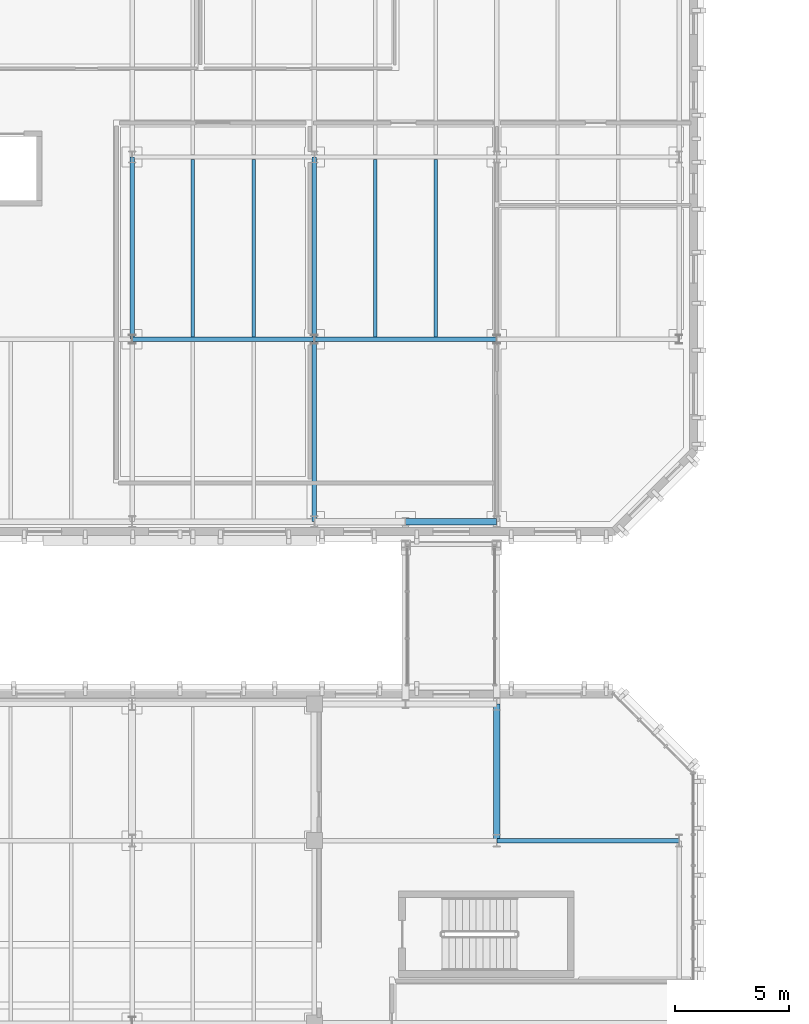
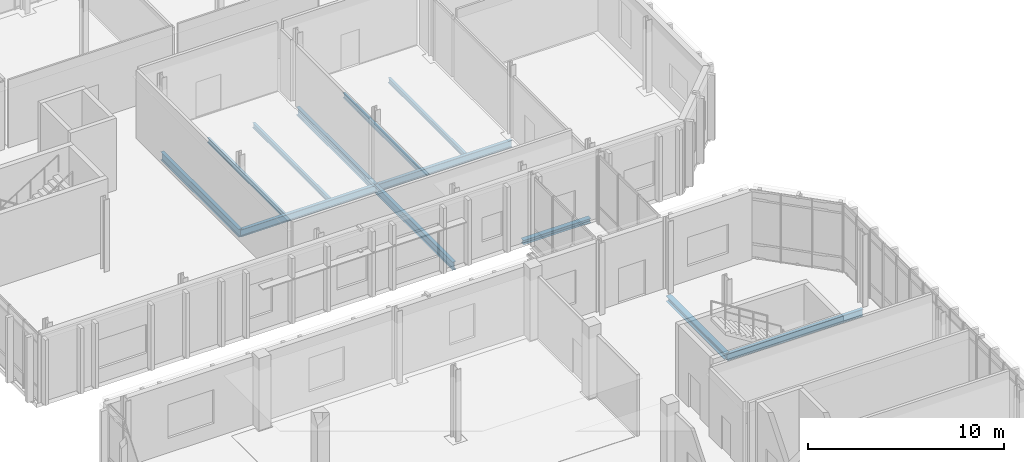
# One storey, part 36 of 100: 12 beams.
"""IFC4 building model written with IfcOpenShell, lengths in metres."""

from ifc_helpers import new_model, si_unit, direction, frame, origin, origin_2d, place, context, subcontext, project, spatial, i_section, extrude, material, material_profile, profile_set, type_object, element, save


model = new_model("IFC4")

# Units and contexts
model_context = context("Model", 3, precision=1e-05, world=origin(), true_north=direction((0.0, 1.0)))
body_context = subcontext(model_context, "Body", "Model", "MODEL_VIEW")
ifc_project = project(units=[si_unit("LENGTHUNIT", "METRE"), si_unit("AREAUNIT", "SQUARE_METRE"), si_unit("VOLUMEUNIT", "CUBIC_METRE"), si_unit("PLANEANGLEUNIT", "RADIAN"), si_unit("MASSUNIT", "GRAM", prefix="KILO")], contexts=[model_context])

# Site, building, storey
site_placement = place(None, origin())
site = spatial("IfcSite", under=ifc_project, at=site_placement, CompositionType="ELEMENT")
building_placement = place(site_placement, origin())
building = spatial("IfcBuilding", under=site, at=building_placement, Name="Cymarion Research Institute", CompositionType="ELEMENT")
storey_placement = place(building_placement, frame((0.0, 0.0, 4.800048828125)))
storey = spatial("IfcBuildingStorey", under=building, at=storey_placement, Name="L01", CompositionType="ELEMENT", Elevation=4.800048828125)

# Beams
ifc_material = material(Name="Steel S355", Category="steel")
ifc_material_profile_1 = material_profile(ifc_material, i_section(OverallWidth=0.199951171875, OverallDepth=0.5, WebThickness=0.01025390625, FlangeThickness=0.01611328125, FilletRadius=0.02099609375, at=origin_2d()), Name="IPE 500")
ifc_profile_set_1 = profile_set([ifc_material_profile_1], Name="Steel S355")
beam_type_1 = type_object("IfcBeamType", Name="PRIMARY GIRDER BM03 IPE 500", PredefinedType="BEAM", material=ifc_profile_set_1)
for number, where, z_axis, x_axis, name in (
    (1, (22.60009765625, 93.506103515625, -0.5), (0.0, 1.0, 0.0), (-1.0, 0.0, 0.0), "L01 V5 girder BM03 #722"),
    (2, (30.60009765625, 85.506103515625, -0.5), (0.0, 1.0, 0.0), (-1.0, 0.0, 0.0), "L01 V5 girder BM03 #725"),
    (3, (30.60009765625, 93.506103515625, -0.5), (0.0, 1.0, 0.0), (-1.0, 0.0, 0.0), "L01 V5 girder BM03 #726"),
):
    element("IfcBeam", number, at=place(storey_placement, frame(where, z_axis=z_axis, x_axis=x_axis)), inside=storey, type_object=beam_type_1, Name=name, PredefinedType="BEAM", context=body_context, shape_type="SweptSolid", body=[
        extrude(i_section(OverallWidth=0.199951171875, OverallDepth=0.5, WebThickness=0.01025390625, FlangeThickness=0.01611328125, FilletRadius=0.02099609375, at=origin_2d()), origin(), (0.0, 0.0, 1.0), 7.98779296875),
    ])
ifc_material_profile_2 = material_profile(ifc_material, i_section(OverallWidth=0.18994140625, OverallDepth=0.449951171875, WebThickness=0.009521484375, FlangeThickness=0.0146484375, FilletRadius=0.02099609375, at=origin_2d()), Name="IPE 450")
ifc_profile_set_2 = profile_set([ifc_material_profile_2], Name="Steel S355")
beam_type_2 = type_object("IfcBeamType", Name="PRIMARY GIRDER BM04 IPE 450", PredefinedType="BEAM", material=ifc_profile_set_2)
for number, where, z_axis, x_axis, name in (
    (4, (38.60595703125, 71.5, -0.47509765625), (1.0, 0.0, 0.0), (0.0, 1.0, 0.0), "L01 V4 girder BM04 #640"),
    (5, (22.60595703125, 93.5, -0.47509765625), (1.0, 0.0, 0.0), (0.0, 1.0, 0.0), "L01 V5 girder BM04 #699"),
    (6, (30.60595703125, 93.5, -0.47509765625), (1.0, 0.0, 0.0), (0.0, 1.0, 0.0), "L01 V5 girder BM04 #700"),
):
    element("IfcBeam", number, at=place(storey_placement, frame(where, z_axis=z_axis, x_axis=x_axis)), inside=storey, type_object=beam_type_2, Name=name, PredefinedType="BEAM", context=body_context, shape_type="SweptSolid", body=[
        extrude(i_section(OverallWidth=0.18994140625, OverallDepth=0.449951171875, WebThickness=0.009521484375, FlangeThickness=0.0146484375, FilletRadius=0.02099609375, at=origin_2d()), origin(), (0.0, 0.0, 1.0), 7.988037109375),
    ])
ifc_material_profile_3 = material_profile(ifc_material, i_section(OverallWidth=0.300048828125, OverallDepth=0.35009765625, WebThickness=0.010009765625, FlangeThickness=0.017578125, FilletRadius=0.027099609375, at=origin_2d()), Name="HEA 360")
ifc_profile_set_3 = profile_set([ifc_material_profile_3], Name="Steel S355")
beam_type_3 = type_object("IfcBeamType", Name="PRIMARY GIRDER BM12 HEA 360", PredefinedType="BEAM", material=ifc_profile_set_3)
beam_1_placement = place(storey_placement, frame((38.60009765625, 71.506103515625, -0.425048828125), z_axis=(0.0, 1.0, 0.0), x_axis=(-1.0, 0.0, 0.0)))
element("IfcBeam", 7, at=beam_1_placement, inside=storey, type_object=beam_type_3, Name="L01 V4 girder BM12 #664", PredefinedType="BEAM", context=body_context, shape_type="SweptSolid", body=[
    extrude(i_section(OverallWidth=0.300048828125, OverallDepth=0.35009765625, WebThickness=0.010009765625, FlangeThickness=0.017578125, FilletRadius=0.027099609375, at=origin_2d()), origin(), (0.0, 0.0, 1.0), 5.98779296875),
])
ifc_material_profile_4 = material_profile(ifc_material, i_section(OverallWidth=0.14990234375, OverallDepth=0.300048828125, WebThickness=0.007080078125, FlangeThickness=0.0107421875, FilletRadius=0.014892578125, at=origin_2d()), Name="IPE 300")
ifc_profile_set_4 = profile_set([ifc_material_profile_4], Name="Steel S355")
beam_type_4 = type_object("IfcBeamType", Name="SECONDARY JOIST JS02 IPE 300", PredefinedType="JOIST", material=ifc_profile_set_4)
for number, where, z_axis, x_axis, name in (
    (8, (25.2666015625, 93.59912109375, -0.400146484375), (0.0, 1.0, 0.0), (-1.0, 0.0, 0.0), "L01 V5 secondary joist JS02 #741"),
    (9, (27.933349609375, 93.59912109375, -0.400146484375), (0.0, 1.0, 0.0), (-1.0, 0.0, 0.0), "L01 V5 secondary joist JS02 #742"),
    (10, (33.2666015625, 93.59912109375, -0.400146484375), (0.0, 1.0, 0.0), (-1.0, 0.0, 0.0), "L01 V5 secondary joist JS02 #743"),
    (11, (35.933349609375, 93.59912109375, -0.400146484375), (0.0, 1.0, 0.0), (-1.0, 0.0, 0.0), "L01 V5 secondary joist JS02 #744"),
):
    element("IfcBeam", number, at=place(storey_placement, frame(where, z_axis=z_axis, x_axis=x_axis)), inside=storey, type_object=beam_type_4, Name=name, PredefinedType="JOIST", context=body_context, shape_type="SweptSolid", body=[
        extrude(i_section(OverallWidth=0.14990234375, OverallDepth=0.300048828125, WebThickness=0.007080078125, FlangeThickness=0.0107421875, FilletRadius=0.014892578125, at=origin_2d()), origin(), (0.0, 0.0, 1.0), 7.8017578125),
    ])
ifc_material_profile_5 = material_profile(ifc_material, i_section(OverallWidth=0.280029296875, OverallDepth=0.27001953125, WebThickness=0.008056640625, FlangeThickness=0.012939453125, FilletRadius=0.02392578125, at=origin_2d()), Name="HEA 280")
ifc_profile_set_5 = profile_set([ifc_material_profile_5], Name="Steel S355")
beam_type_5 = type_object("IfcBeamType", Name="SPANDREL BEAM SPB02 HEA 280", PredefinedType="SPANDREL", material=ifc_profile_set_5)
beam_2_placement = place(storey_placement, frame((34.60595703125, 85.5, -0.385009765625), z_axis=(1.0, 0.0, 0.0), x_axis=(0.0, 1.0, 0.0)))
element("IfcBeam", 12, at=beam_2_placement, inside=storey, type_object=beam_type_5, Name="L01 V5 girder SPB02 #696", PredefinedType="SPANDREL", context=body_context, shape_type="SweptSolid", body=[
    extrude(i_section(OverallWidth=0.280029296875, OverallDepth=0.27001953125, WebThickness=0.008056640625, FlangeThickness=0.012939453125, FilletRadius=0.02392578125, at=origin_2d()), origin(), (0.0, 0.0, 1.0), 3.988037109375),
])

save(model, "model.ifc")
